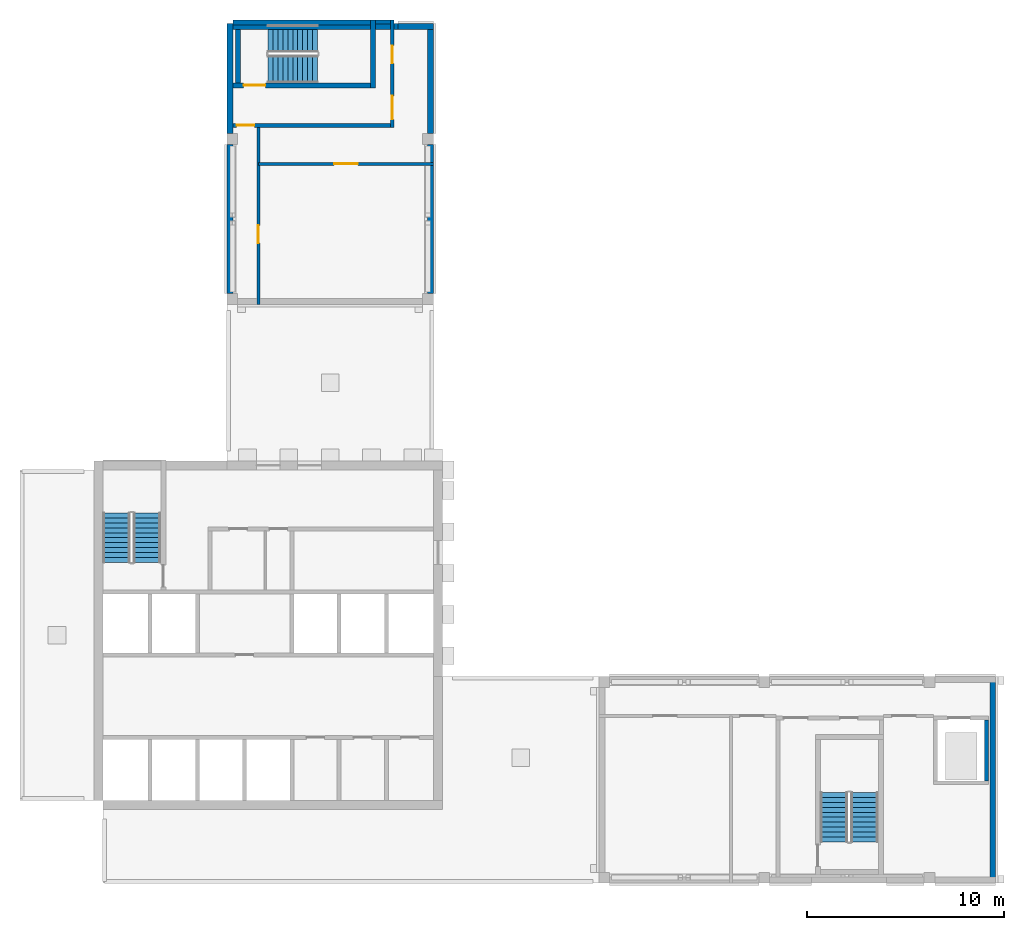
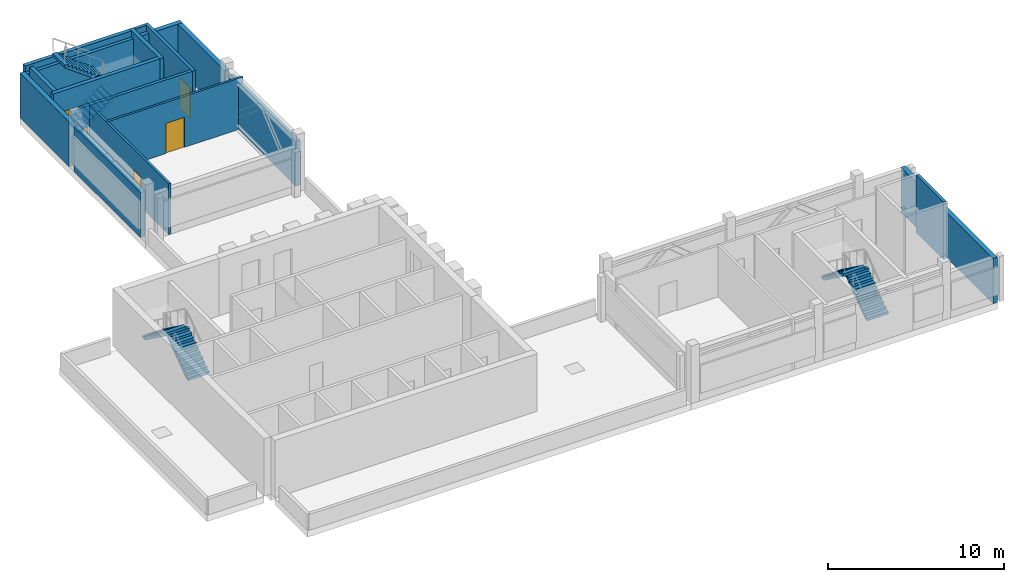
# One storey, part 3 of 8: 17 walls, 6 doors, 6 stair flights, 6 openings, 3 elements without a shape of their own.
"""IFC4 building model written with IfcOpenShell, lengths in metres."""

from ifc_helpers import new_model, si_unit, direction, frame, frame_2d, origin, place, context, subcontext, project, spatial, polyline, rectangle, outline, extrude, source, transform, mapped, material, layer, layer_set, type_object, element, fill, aggregate, save


model = new_model("IFC4")

# Units and contexts
model_context = context("Model", 3, precision=1e-05, world=origin(), true_north=direction((0.0, 1.0)))
body_context = subcontext(model_context, "Body", "Model", "MODEL_VIEW")
ifc_project = project(units=[si_unit("LENGTHUNIT", "METRE"), si_unit("AREAUNIT", "SQUARE_METRE"), si_unit("VOLUMEUNIT", "CUBIC_METRE"), si_unit("PLANEANGLEUNIT", "RADIAN"), si_unit("MASSUNIT", "GRAM", prefix="KILO")], contexts=[model_context])

# Site, building, storey
site_placement = place(None, origin())
site = spatial("IfcSite", under=ifc_project, at=site_placement, CompositionType="ELEMENT")
building_placement = place(site_placement, origin())
building = spatial("IfcBuilding", under=site, at=building_placement, Name="Aurelian Terraces", CompositionType="ELEMENT")
storey_placement = place(building_placement, frame((0.0, 0.0, 368.5)))
storey = spatial("IfcBuildingStorey", under=building, at=storey_placement, Name="L88", CompositionType="ELEMENT", Elevation=368.5)

# Walls
ifc_material_1 = material(Name="Terracotta rainscreen cladding", Category="masonry")
ifc_layer_1 = layer(ifc_material_1, 0.3)
ifc_layer_set_1 = layer_set([ifc_layer_1], Name="EW-300")
wall_type_1 = type_object("IfcWallType", Name="EW-300", PredefinedType="STANDARD", material=ifc_layer_set_1)
wall_1_placement = place(storey_placement, frame((49.41, 0.0, 0.0), z_axis=(0.0, 0.0, 1.0), x_axis=(0.0, 1.0, 0.0)))
element("IfcWall", 1, at=wall_1_placement, inside=storey, type_object=wall_type_1, Name="External wall L88 F06.1", PredefinedType="STANDARD", context=body_context, shape_type="SweptSolid", body=[
    extrude(rectangle(XDim=10.5, YDim=0.3, at=frame_2d((5.25, 0.0))), origin(), (0.0, 0.0, 1.0), 3.1363),
])
wall_2_placement = place(storey_placement, frame((20.85, 38.075, 0.0), z_axis=(0.0, 0.0, 1.0), x_axis=(0.0, 1.0, 0.0)))
element("IfcWall", 2, at=wall_2_placement, inside=storey, type_object=wall_type_1, Name="External wall L88 F10.2", PredefinedType="STANDARD", context=body_context, shape_type="SweptSolid", body=[
    extrude(rectangle(XDim=5.605, YDim=0.3, at=frame_2d((2.8025, 0.0))), origin(), (0.0, 0.0, 1.0), 3.1363),
])
wall_3_placement = place(storey_placement, frame((21.0, 43.53, 0.0), z_axis=(0.0, 0.0, 1.0), x_axis=(-1.0, 0.0, 0.0)))
element("IfcWall", 3, at=wall_3_placement, inside=storey, type_object=wall_type_1, Name="External wall L88 F11.1", PredefinedType="STANDARD", context=body_context, shape_type="SweptSolid", body=[
    extrude(rectangle(XDim=1.8, YDim=0.3, at=frame_2d((0.9, 0.0))), origin(), (0.0, 0.0, 1.0), 3.1363),
])
ifc_material_2 = material(Name="Concrete fc' 40 MPa", Category="concrete")
ifc_layer_2 = layer(ifc_material_2, 0.3)
ifc_layer_set_2 = layer_set([ifc_layer_2], Name="STAIR BAY WALL 300")
wall_type_2 = type_object("IfcWallType", Name="STAIR BAY WALL 300", PredefinedType="SOLIDWALL", material=ifc_layer_set_2)
wall_4_placement = place(storey_placement, frame((19.2, 43.53, 0.0), z_axis=(0.0, 0.0, 1.0), x_axis=(-1.0, 0.0, 0.0)))
element("IfcWall", 4, at=wall_4_placement, inside=storey, type_object=wall_type_2, Name="Stair bay wall L88 F11.2", PredefinedType="SOLIDWALL", context=body_context, shape_type="SweptSolid", body=[
    extrude(rectangle(XDim=8.6, YDim=0.3, at=frame_2d((4.3, 0.0))), origin(), (0.0, 0.0, 1.0), 3.1363),
])
wall_5_placement = place(storey_placement, frame((10.65, 43.68, 0.0), z_axis=(0.0, 0.0, 1.0), x_axis=(0.0, -1.0, 0.0)))
element("IfcWall", 5, at=wall_5_placement, inside=storey, type_object=wall_type_2, Name="Stair bay wall L88 F12.1", PredefinedType="SOLIDWALL", context=body_context, shape_type="SweptSolid", body=[
    extrude(rectangle(XDim=5.605, YDim=0.3, at=frame_2d((2.8025, 0.0))), origin(), (0.0, 0.0, 1.0), 3.1363),
])

# Wall, opening, door
ifc_material_3 = material(Name="Gypsum board on steel studs", Category="steel")
ifc_layer_3 = layer(ifc_material_3, 0.15)
ifc_layer_set_3 = layer_set([ifc_layer_3], Name="Special partition 150")
wall_type_3 = type_object("IfcWallType", Name="Special partition 150", PredefinedType="PARTITIONING", material=ifc_layer_set_3)
wall_6_placement = place(storey_placement, frame((12.1, 36.54, 0.0), z_axis=(0.0, 0.0, 1.0), x_axis=(1.0, 0.0, 0.0)))
wall_6 = element("IfcWall", 6, at=wall_6_placement, inside=storey, type_object=wall_type_3, Name="L88 partition W03", PredefinedType="PARTITIONING", context=body_context, shape_type="SweptSolid", body=[
    extrude(rectangle(XDim=8.9, YDim=0.15, at=frame_2d((4.45, 0.0))), origin(), (0.0, 0.0, 1.0), 3.55),
])
shared_shape_1 = source(origin(), body_context, "Body", "SweptSolid", [
    extrude(rectangle(XDim=1.2, YDim=2.1, at=frame_2d((0.6, 1.05))), frame((0.0, 0.085, 0.0), z_axis=(0.0, -1.0, 0.0), x_axis=(1.0, 0.0, 0.0)), (0.0, 0.0, 1.0), 0.17),
])
opening_1_placement = place(wall_6_placement, frame((3.85, 0.0, 0.0)))
opening_1 = element("IfcOpeningElement", 7, at=opening_1_placement, cuts=wall_6, Name="Opening 79104", PredefinedType="OPENING", context=body_context, shape_type="MappedRepresentation", body=[
    mapped(shared_shape_1, transform((0.0, 0.0, 0.0), scale=1.0)),
])
ifc_material_4 = material(Name="Steel door leaf", Category="steel")
door_type_1 = type_object("IfcDoorType", Name="Special door 1200x2100 right", OperationType="SINGLE_SWING_RIGHT", PredefinedType="DOOR", material=ifc_material_4)
shared_shape_2 = source(origin(), body_context, "Body", "SweptSolid", [
    extrude(rectangle(XDim=1.2, YDim=2.1, at=frame_2d((0.6, 1.05))), frame((0.0, 0.025, 0.0), z_axis=(0.0, -1.0, 0.0), x_axis=(1.0, 0.0, 0.0)), (0.0, 0.0, 1.0), 0.05),
])
door_1_placement = place(opening_1_placement, origin())
door_1 = element("IfcDoor", 8, at=door_1_placement, inside=storey, type_object=door_type_1, Name="Door 79104", OperationType="SINGLE_SWING_RIGHT", OverallHeight=2.1, OverallWidth=1.2, PredefinedType="DOOR", context=body_context, shape_type="MappedRepresentation", body=[
    mapped(shared_shape_2, transform((0.0, 0.0, 0.0), scale=1.0)),
])
fill(opening_1, door_1)

# Walls
ifc_layer_4 = layer(ifc_material_2, 0.25)
ifc_layer_set_4 = layer_set([ifc_layer_4], Name="Stair enclosure wall 250")
wall_type_4 = type_object("IfcWallType", Name="Stair enclosure wall 250", PredefinedType="SOLIDWALL", material=ifc_layer_set_4)
wall_7_placement = place(storey_placement, frame((11.075, 40.65, 0.0), z_axis=(0.0, 0.0, 1.0), x_axis=(0.0, 1.0, 0.0)))
element("IfcWall", 9, at=wall_7_placement, inside=storey, type_object=wall_type_4, Name="L88 core wall ST-S3U-SS", PredefinedType="SOLIDWALL", context=body_context, shape_type="SweptSolid", body=[
    extrude(rectangle(XDim=2.73, YDim=0.25, at=frame_2d((1.365, 0.0))), origin(), (0.0, 0.0, 1.0), 3.55),
])
shared_shape_3 = source(origin(), body_context, "Body", "SweptSolid", [
    extrude(rectangle(XDim=7.575, YDim=0.3, at=frame_2d((3.7875, 0.0))), origin(), (0.0, 0.0, 1.0), 3.1363),
])
for number, where, z_axis, x_axis, name in (
    (10, (20.85, 29.95, 0.0), (0.0, 0.0, 1.0), (0.0, 1.0, 0.0), "External wall L88 F10.1"),
    (11, (10.65, 37.525, 0.0), (0.0, 0.0, 1.0), (0.0, -1.0, 0.0), "External wall L88 F12.2"),
):
    element("IfcWall", number, at=place(storey_placement, frame(where, z_axis=z_axis, x_axis=x_axis)), inside=storey, type_object=wall_type_1, Name=name, PredefinedType="STANDARD", context=body_context, shape_type="MappedRepresentation", body=[
        mapped(shared_shape_3, transform((0.0, 0.0, 0.0), scale=1.0)),
    ])
ifc_layer_5 = layer(ifc_material_2, 0.2)
ifc_layer_set_5 = layer_set([ifc_layer_5], Name="Lift shaft wall 200")
wall_type_5 = type_object("IfcWallType", Name="Lift shaft wall 200", PredefinedType="SOLIDWALL", material=ifc_layer_set_5)
shared_shape_4 = source(origin(), body_context, "Body", "SweptSolid", [
    extrude(rectangle(XDim=3.1, YDim=0.2, at=frame_2d((1.55, 0.0))), origin(), (0.0, 0.0, 1.0), 4.0),
])
wall_8_placement = place(storey_placement, frame((49.1, 5.2, 0.0), z_axis=(0.0, 0.0, 1.0), x_axis=(0.0, 1.0, 0.0)))
element("IfcWall", 12, at=wall_8_placement, inside=storey, type_object=wall_type_5, Name="L88 core wall SV-E", PredefinedType="SOLIDWALL", context=body_context, shape_type="MappedRepresentation", body=[
    mapped(shared_shape_4, transform((0.0, 0.0, 0.0), scale=1.0)),
])

# Wall, opening, door
shared_shape_5 = source(origin(), body_context, "Body", "SweptSolid", [
    extrude(rectangle(XDim=7.0, YDim=0.25, at=frame_2d((3.5, 0.0))), origin(), (0.0, 0.0, 1.0), 3.55),
])
wall_9_placement = place(storey_placement, frame((10.8, 40.525, 0.0), z_axis=(0.0, 0.0, 1.0), x_axis=(1.0, 0.0, 0.0)))
wall_9 = element("IfcWall", 13, at=wall_9_placement, inside=storey, type_object=wall_type_4, Name="L88 core wall ST-S3U-W", PredefinedType="SOLIDWALL", context=body_context, shape_type="MappedRepresentation", body=[
    mapped(shared_shape_5, transform((0.0, 0.0, 0.0), scale=1.0)),
])
shared_shape_6 = source(origin(), body_context, "Body", "SweptSolid", [
    extrude(rectangle(XDim=1.1, YDim=2.1, at=frame_2d((0.55, 1.05))), frame((0.0, 0.135, 0.0), z_axis=(0.0, -1.0, 0.0), x_axis=(1.0, 0.0, 0.0)), (0.0, 0.0, 1.0), 0.27),
])
opening_2_placement = place(wall_9_placement, frame((0.55, 0.0, 0.0)))
opening_2 = element("IfcOpeningElement", 14, at=opening_2_placement, cuts=wall_9, Name="Opening 69111", PredefinedType="OPENING", context=body_context, shape_type="MappedRepresentation", body=[
    mapped(shared_shape_6, transform((0.0, 0.0, 0.0), scale=1.0)),
])
door_type_2 = type_object("IfcDoorType", Name="Core fire door 1100x2100", OperationType="SINGLE_SWING_LEFT", PredefinedType="DOOR", material=ifc_material_4)
shared_shape_7 = source(origin(), body_context, "Body", "SweptSolid", [
    extrude(rectangle(XDim=1.1, YDim=2.1, at=frame_2d((0.55, 1.05))), frame((0.0, 0.025, 0.0), z_axis=(0.0, -1.0, 0.0), x_axis=(1.0, 0.0, 0.0)), (0.0, 0.0, 1.0), 0.05),
])
door_2_placement = place(opening_2_placement, origin())
door_2 = element("IfcDoor", 15, at=door_2_placement, inside=storey, type_object=door_type_2, Name="Stair door 69111", OperationType="SINGLE_SWING_LEFT", OverallHeight=2.1, OverallWidth=1.1, PredefinedType="DOOR", context=body_context, shape_type="MappedRepresentation", body=[
    mapped(shared_shape_7, transform((0.0, 0.0, 0.0), scale=1.0)),
])
fill(opening_2, door_2)

# Walls
wall_10_placement = place(storey_placement, frame((10.8, 43.725, 0.0), z_axis=(0.0, 0.0, 1.0), x_axis=(1.0, 0.0, 0.0)))
element("IfcWall", 16, at=wall_10_placement, inside=storey, type_object=wall_type_4, Name="L88 core wall ST-S3U-E", PredefinedType="SOLIDWALL", context=body_context, shape_type="MappedRepresentation", body=[
    mapped(shared_shape_5, transform((0.0, 0.0, 0.0), scale=1.0)),
])
shared_shape_8 = source(origin(), body_context, "Body", "SweptSolid", [
    extrude(rectangle(XDim=3.45, YDim=0.25, at=frame_2d((1.725, 0.0))), origin(), (0.0, 0.0, 1.0), 3.55),
])
wall_11_placement = place(storey_placement, frame((17.925, 40.4, 0.0), z_axis=(0.0, 0.0, 1.0), x_axis=(0.0, 1.0, 0.0)))
element("IfcWall", 17, at=wall_11_placement, inside=storey, type_object=wall_type_4, Name="L88 core wall ST-S3U-N", PredefinedType="SOLIDWALL", context=body_context, shape_type="MappedRepresentation", body=[
    mapped(shared_shape_8, transform((0.0, 0.0, 0.0), scale=1.0)),
])

# Wall, opening, door
ifc_layer_6 = layer(ifc_material_3, 0.2)
ifc_layer_set_6 = layer_set([ifc_layer_6], Name="Core partition 200")
wall_type_6 = type_object("IfcWallType", Name="Core partition 200", PredefinedType="PARTITIONING", material=ifc_layer_set_6)
shared_shape_9 = source(origin(), body_context, "Body", "SweptSolid", [
    extrude(rectangle(XDim=8.0, YDim=0.2, at=frame_2d((4.0, 0.0))), origin(), (0.0, 0.0, 1.0), 3.55),
])
wall_12_placement = place(storey_placement, frame((10.8, 38.5, 0.0), z_axis=(0.0, 0.0, 1.0), x_axis=(1.0, 0.0, 0.0)))
wall_12 = element("IfcWall", 18, at=wall_12_placement, inside=storey, type_object=wall_type_6, Name="L88 core wall ST-S3U-VW", PredefinedType="PARTITIONING", context=body_context, shape_type="MappedRepresentation", body=[
    mapped(shared_shape_9, transform((0.0, 0.0, 0.0), scale=1.0)),
])
shared_shape_10 = source(origin(), body_context, "Body", "SweptSolid", [
    extrude(rectangle(XDim=0.9, YDim=2.1, at=frame_2d((0.45, 1.05))), frame((0.0, 0.11, 0.0), z_axis=(0.0, -1.0, 0.0), x_axis=(1.0, 0.0, 0.0)), (0.0, 0.0, 1.0), 0.22),
])
opening_3_placement = place(wall_12_placement, frame((0.2, 0.0, 0.0)))
opening_3 = element("IfcOpeningElement", 19, at=opening_3_placement, cuts=wall_12, Name="Opening 69112", PredefinedType="OPENING", context=body_context, shape_type="MappedRepresentation", body=[
    mapped(shared_shape_10, transform((0.0, 0.0, 0.0), scale=1.0)),
])
door_type_3 = type_object("IfcDoorType", Name="Core service door 900x2100 right", OperationType="SINGLE_SWING_RIGHT", PredefinedType="DOOR", material=ifc_material_4)
shared_shape_11 = source(origin(), body_context, "Body", "SweptSolid", [
    extrude(rectangle(XDim=0.9, YDim=2.1, at=frame_2d((0.45, 1.05))), frame((0.0, 0.025, 0.0), z_axis=(0.0, -1.0, 0.0), x_axis=(1.0, 0.0, 0.0)), (0.0, 0.0, 1.0), 0.05),
])
door_3_placement = place(opening_3_placement, origin())
door_3 = element("IfcDoor", 20, at=door_3_placement, inside=storey, type_object=door_type_3, Name="Vestibule door 69112", OperationType="SINGLE_SWING_RIGHT", OverallHeight=2.1, OverallWidth=0.9, PredefinedType="DOOR", context=body_context, shape_type="MappedRepresentation", body=[
    mapped(shared_shape_11, transform((0.0, 0.0, 0.0), scale=1.0)),
])
fill(opening_3, door_3)

# Wall, openings, doors
shared_shape_12 = source(origin(), body_context, "Body", "SweptSolid", [
    extrude(rectangle(XDim=5.45, YDim=0.2, at=frame_2d((2.725, 0.0))), origin(), (0.0, 0.0, 1.0), 3.55),
])
wall_13_placement = place(storey_placement, frame((18.9, 38.4, 0.0), z_axis=(0.0, 0.0, 1.0), x_axis=(0.0, 1.0, 0.0)))
wall_13 = element("IfcWall", 21, at=wall_13_placement, inside=storey, type_object=wall_type_6, Name="L88 core wall ST-S3U-BN", PredefinedType="PARTITIONING", context=body_context, shape_type="MappedRepresentation", body=[
    mapped(shared_shape_12, transform((0.0, 0.0, 0.0), scale=1.0)),
])
shared_shape_13 = source(origin(), body_context, "Body", "SweptSolid", [
    extrude(rectangle(XDim=1.2, YDim=2.1, at=frame_2d((0.6, 1.05))), frame((0.0, 0.11, 0.0), z_axis=(0.0, -1.0, 0.0), x_axis=(1.0, 0.0, 0.0)), (0.0, 0.0, 1.0), 0.22),
])
opening_4_placement = place(wall_13_placement, frame((0.4, 0.0, 0.0)))
opening_4 = element("IfcOpeningElement", 22, at=opening_4_placement, cuts=wall_13, Name="Opening 69113", PredefinedType="OPENING", context=body_context, shape_type="MappedRepresentation", body=[
    mapped(shared_shape_13, transform((0.0, 0.0, 0.0), scale=1.0)),
])
opening_5_placement = place(wall_13_placement, frame((3.25, 0.0, 0.0)))
opening_5 = element("IfcOpeningElement", 23, at=opening_5_placement, cuts=wall_13, Name="Opening 69114", PredefinedType="OPENING", context=body_context, shape_type="MappedRepresentation", body=[
    mapped(shared_shape_10, transform((0.0, 0.0, 0.0), scale=1.0)),
])
door_type_4 = type_object("IfcDoorType", Name="Core riser door 900x2100 right", OperationType="SINGLE_SWING_RIGHT", PredefinedType="DOOR", material=ifc_material_4)
door_4_placement = place(opening_5_placement, origin())
door_4 = element("IfcDoor", 24, at=door_4_placement, inside=storey, type_object=door_type_4, Name="Riser door 69114", OperationType="SINGLE_SWING_RIGHT", OverallHeight=2.1, OverallWidth=0.9, PredefinedType="DOOR", context=body_context, shape_type="MappedRepresentation", body=[
    mapped(shared_shape_11, transform((0.0, 0.0, 0.0), scale=1.0)),
])
fill(opening_5, door_4)
door_type_5 = type_object("IfcDoorType", Name="Core fire door 1200x2100", OperationType="SINGLE_SWING_LEFT", PredefinedType="DOOR", material=ifc_material_4)
door_5_placement = place(opening_4_placement, origin())
door_5 = element("IfcDoor", 25, at=door_5_placement, inside=storey, type_object=door_type_5, Name="Vestibule door 69113", OperationType="SINGLE_SWING_LEFT", OverallHeight=2.1, OverallWidth=1.2, PredefinedType="DOOR", context=body_context, shape_type="MappedRepresentation", body=[
    mapped(shared_shape_2, transform((0.0, 0.0, 0.0), scale=1.0)),
])
fill(opening_4, door_5)

# Wall
shared_shape_14 = source(origin(), body_context, "Body", "SweptSolid", [
    extrude(rectangle(XDim=0.75, YDim=0.2, at=frame_2d((0.375, 0.0))), origin(), (0.0, 0.0, 1.0), 3.55),
])
wall_14_placement = place(storey_placement, frame((18.05, 43.75, 0.0), z_axis=(0.0, 0.0, 1.0), x_axis=(1.0, 0.0, 0.0)))
element("IfcWall", 26, at=wall_14_placement, inside=storey, type_object=wall_type_6, Name="L88 core wall ST-S3U-RE", PredefinedType="PARTITIONING", context=body_context, shape_type="MappedRepresentation", body=[
    mapped(shared_shape_14, transform((0.0, 0.0, 0.0), scale=1.0)),
])

# Wall, opening, door
shared_shape_15 = source(origin(), body_context, "Body", "SweptSolid", [
    extrude(rectangle(XDim=9.0, YDim=0.15, at=frame_2d((4.5, 0.0))), origin(), (0.0, 0.0, 1.0), 3.55),
])
wall_15_placement = place(storey_placement, frame((12.1, 29.4, 0.0), z_axis=(0.0, 0.0, 1.0), x_axis=(0.0, 1.0, 0.0)))
wall_15 = element("IfcWall", 27, at=wall_15_placement, inside=storey, type_object=wall_type_3, Name="L88 partition W04", PredefinedType="PARTITIONING", context=body_context, shape_type="MappedRepresentation", body=[
    mapped(shared_shape_15, transform((0.0, 0.0, 0.0), scale=1.0)),
])
shared_shape_16 = source(origin(), body_context, "Body", "SweptSolid", [
    extrude(rectangle(XDim=0.9, YDim=2.1, at=frame_2d((0.45, 1.05))), frame((0.0, 0.085, 0.0), z_axis=(0.0, -1.0, 0.0), x_axis=(1.0, 0.0, 0.0)), (0.0, 0.0, 1.0), 0.17),
])
opening_6_placement = place(wall_15_placement, frame((3.12, 0.0, 0.0)))
opening_6 = element("IfcOpeningElement", 28, at=opening_6_placement, cuts=wall_15, Name="Opening 79105", PredefinedType="OPENING", context=body_context, shape_type="MappedRepresentation", body=[
    mapped(shared_shape_16, transform((0.0, 0.0, 0.0), scale=1.0)),
])
ifc_material_5 = material(Name="Timber door leaf", Category="wood")
door_type_6 = type_object("IfcDoorType", Name="Special door 900x2100", OperationType="SINGLE_SWING_LEFT", PredefinedType="DOOR", material=ifc_material_5)
door_6_placement = place(opening_6_placement, origin())
door_6 = element("IfcDoor", 29, at=door_6_placement, inside=storey, type_object=door_type_6, Name="Door 79105", OperationType="SINGLE_SWING_LEFT", OverallHeight=2.1, OverallWidth=0.9, PredefinedType="DOOR", context=body_context, shape_type="MappedRepresentation", body=[
    mapped(shared_shape_11, transform((0.0, 0.0, 0.0), scale=1.0)),
])
fill(opening_6, door_6)

# Stair, stair flights
stair_type = type_object("IfcStairType", Name="Stair 1400", PredefinedType="HALF_TURN_STAIR", material=ifc_material_2)
stair_1_placement = place(storey_placement, origin())
stair_1 = element("IfcStair", 30, at=stair_1_placement, inside=storey, type_object=stair_type, Name="L88 S1", PredefinedType="HALF_TURN_STAIR")
stair_flight_type = type_object("IfcStairFlightType", Name="Stair flight 1400", PredefinedType="STRAIGHT", material=ifc_material_2)
shared_shape_17 = source(origin(), body_context, "Body", "SweptSolid", [
    extrude(outline(polyline([(0.0, 0.0), (0.0, 0.1818), (0.25, 0.1818), (0.25, 0.3636), (0.5, 0.3636), (0.5, 0.5455), (0.75, 0.5455), (0.75, 0.7273), (1.0, 0.7273), (1.0, 0.9091), (1.25, 0.9091), (1.25, 1.0909), (1.5, 1.0909), (1.5, 1.2727), (1.75, 1.2727), (1.75, 1.4545), (2.0, 1.4545), (2.0, 1.6364), (2.25, 1.6364), (2.25, 1.8182), (2.5, 1.8182), (2.5, 2.0), (2.5, 1.6327), (0.255, 0.0), (0.0, 0.0)])), frame((0.0, 0.7, 0.0), z_axis=(0.0, -1.0, 0.0), x_axis=(1.0, 0.0, 0.0)), (0.0, 0.0, 1.0), 1.4),
])
stair_flight_1_placement = place(storey_placement, frame((6.45, 16.3, 2e-08), z_axis=(0.0, 0.0, 1.0), x_axis=(0.0, 1.0, 0.0)))
stair_flight_1 = element("IfcStairFlight", 31, at=stair_flight_1_placement, type_object=stair_flight_type, Name="S1 flight 1", NumberOfRisers=11, NumberOfTreads=10, PredefinedType="STRAIGHT", RiserHeight=0.181818182, TreadLength=0.25, context=body_context, shape_type="MappedRepresentation", body=[
    mapped(shared_shape_17, transform((0.0, 0.0, 0.0), scale=1.0)),
])
stair_flight_2_placement = place(storey_placement, frame((4.9, 18.8, 2.00000002), z_axis=(0.0, 0.0, 1.0), x_axis=(0.0, -1.0, 0.0)))
stair_flight_2 = element("IfcStairFlight", 32, at=stair_flight_2_placement, type_object=stair_flight_type, Name="S1 flight 2", NumberOfRisers=11, NumberOfTreads=10, PredefinedType="STRAIGHT", RiserHeight=0.181818182, TreadLength=0.25, context=body_context, shape_type="MappedRepresentation", body=[
    mapped(shared_shape_17, transform((0.0, 0.0, 0.0), scale=1.0)),
])
aggregate(stair_1, [stair_flight_1, stair_flight_2])

stair_2_placement = place(storey_placement, origin())
stair_2 = element("IfcStair", 33, at=stair_2_placement, inside=storey, type_object=stair_type, Name="L88 S2", PredefinedType="HALF_TURN_STAIR")
stair_flight_3_placement = place(storey_placement, frame((42.9, 2.1, 2e-08), z_axis=(0.0, 0.0, 1.0), x_axis=(0.0, 1.0, 0.0)))
stair_flight_3 = element("IfcStairFlight", 34, at=stair_flight_3_placement, type_object=stair_flight_type, Name="S2 flight 1", NumberOfRisers=11, NumberOfTreads=10, PredefinedType="STRAIGHT", RiserHeight=0.181818182, TreadLength=0.25, context=body_context, shape_type="MappedRepresentation", body=[
    mapped(shared_shape_17, transform((0.0, 0.0, 0.0), scale=1.0)),
])
stair_flight_4_placement = place(storey_placement, frame((41.35, 4.6, 2.00000002), z_axis=(0.0, 0.0, 1.0), x_axis=(0.0, -1.0, 0.0)))
stair_flight_4 = element("IfcStairFlight", 35, at=stair_flight_4_placement, type_object=stair_flight_type, Name="S2 flight 2", NumberOfRisers=11, NumberOfTreads=10, PredefinedType="STRAIGHT", RiserHeight=0.181818182, TreadLength=0.25, context=body_context, shape_type="MappedRepresentation", body=[
    mapped(shared_shape_17, transform((0.0, 0.0, 0.0), scale=1.0)),
])
aggregate(stair_2, [stair_flight_3, stair_flight_4])

stair_3_placement = place(storey_placement, origin())
stair_3 = element("IfcStair", 36, at=stair_3_placement, inside=storey, type_object=stair_type, Name="L88 S3U", PredefinedType="HALF_TURN_STAIR")
stair_flight_5_placement = place(storey_placement, frame((12.6, 41.35, 2e-08), z_axis=(0.0, 0.0, 1.0), x_axis=(1.0, 0.0, 0.0)))
stair_flight_5 = element("IfcStairFlight", 37, at=stair_flight_5_placement, type_object=stair_flight_type, Name="S3U flight 1", NumberOfRisers=11, NumberOfTreads=10, PredefinedType="STRAIGHT", RiserHeight=0.181818182, TreadLength=0.25, context=body_context, shape_type="MappedRepresentation", body=[
    mapped(shared_shape_17, transform((0.0, 0.0, 0.0), scale=1.0)),
])
stair_flight_6_placement = place(storey_placement, frame((15.1, 42.9, 2.00000002), z_axis=(0.0, 0.0, 1.0), x_axis=(-1.0, 0.0, 0.0)))
stair_flight_6 = element("IfcStairFlight", 38, at=stair_flight_6_placement, type_object=stair_flight_type, Name="S3U flight 2", NumberOfRisers=11, NumberOfTreads=10, PredefinedType="STRAIGHT", RiserHeight=0.181818182, TreadLength=0.25, context=body_context, shape_type="MappedRepresentation", body=[
    mapped(shared_shape_17, transform((0.0, 0.0, 0.0), scale=1.0)),
])
aggregate(stair_3, [stair_flight_5, stair_flight_6])

save(model, "model.ifc")
